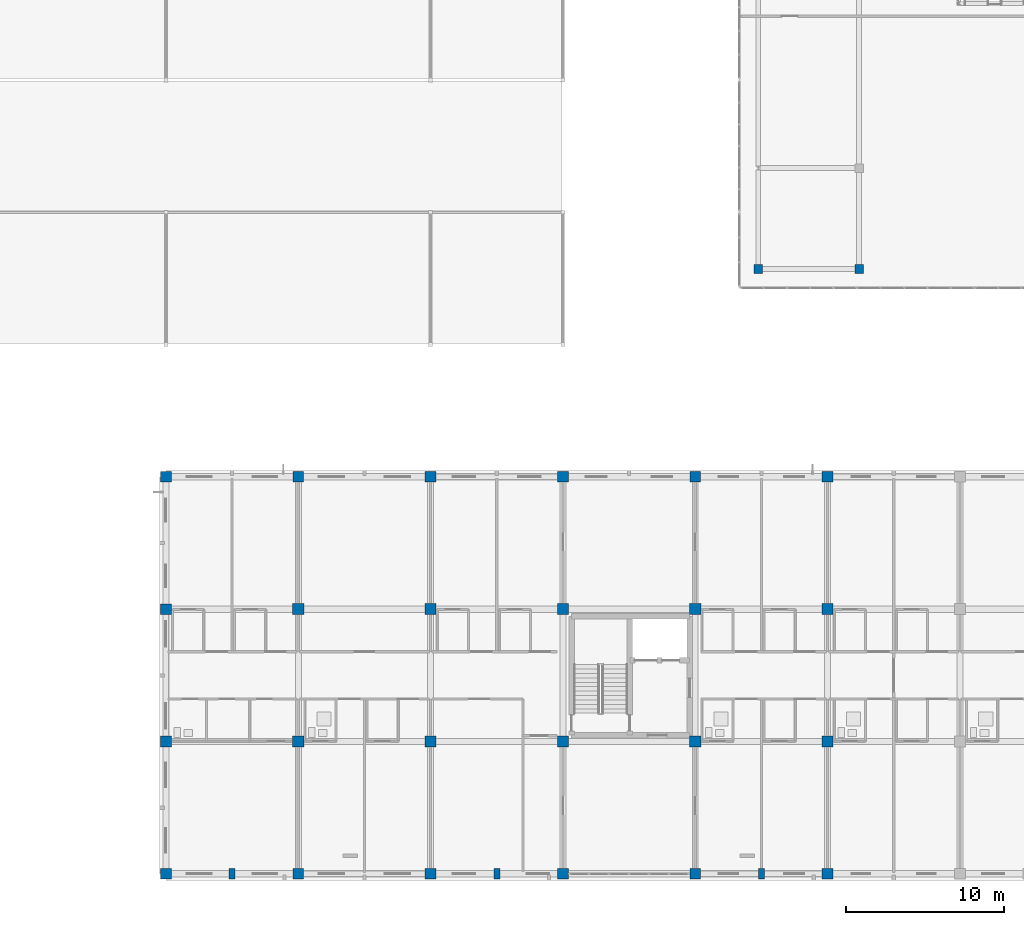
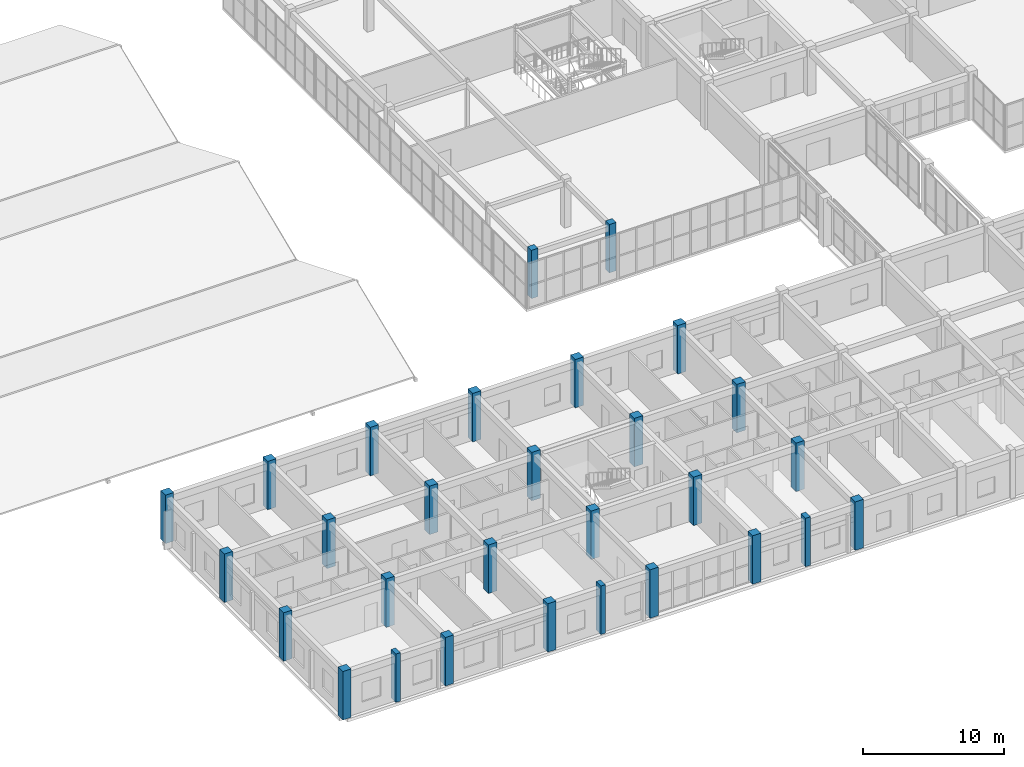
# One storey, part 1 of 140: 29 columns.
"""IFC4 building model written with IfcOpenShell, lengths in metres."""

from ifc_helpers import new_model, si_unit, direction, frame, origin, origin_2d, place, context, subcontext, project, spatial, rectangle, extrude, material, material_profile, profile_set, type_object, element, save


model = new_model("IFC4")

# Units and contexts
model_context = context("Model", 3, precision=1e-05, world=origin(), true_north=direction((0.0, 1.0)))
body_context = subcontext(model_context, "Body", "Model", "MODEL_VIEW")
ifc_project = project(units=[si_unit("LENGTHUNIT", "METRE"), si_unit("AREAUNIT", "SQUARE_METRE"), si_unit("VOLUMEUNIT", "CUBIC_METRE"), si_unit("PLANEANGLEUNIT", "RADIAN"), si_unit("MASSUNIT", "GRAM", prefix="KILO")], contexts=[model_context])

# Site, building, storey
site_placement = place(None, origin())
site = spatial("IfcSite", under=ifc_project, at=site_placement, CompositionType="ELEMENT")
building_placement = place(site_placement, origin())
building = spatial("IfcBuilding", under=site, at=building_placement, Name="Trelvath General Hospital", CompositionType="ELEMENT")
storey_placement = place(building_placement, frame((0.0, 0.0, 16.199951171875)))
storey = spatial("IfcBuildingStorey", under=building, at=storey_placement, Name="L04", CompositionType="ELEMENT", Elevation=16.199951171875)

# Columns
ifc_material_1 = material(Name="Concrete C40/50", Category="concrete")
ifc_material_profile_1 = material_profile(ifc_material_1, rectangle(XDim=0.550048828125, YDim=0.550048828125, at=origin_2d()), Name="RC550x550")
ifc_profile_set_1 = profile_set([ifc_material_profile_1], Name="Concrete C40/50")
column_type_1 = type_object("IfcColumnType", Name="Column RC550", PredefinedType="COLUMN", material=ifc_profile_set_1)
for number, where, z_axis, x_axis, name in (
    (1, (54.39990234375, 38.39990234375, 0.0), (0.0, 0.0, 1.0), (1.0, 0.0, 0.0), "Cube Interior Column CC-W11 L04"),
    (2, (60.800048828125, 38.39990234375, 0.0), (0.0, 0.0, 1.0), (1.0, 0.0, 0.0), "Cube Interior Column CC-W16 L04"),
):
    element("IfcColumn", number, at=place(storey_placement, frame(where, z_axis=z_axis, x_axis=x_axis)), inside=storey, type_object=column_type_1, Name=name, PredefinedType="COLUMN", context=body_context, shape_type="SweptSolid", body=[
        extrude(rectangle(XDim=0.550048828125, YDim=0.550048828125, at=origin_2d()), origin(), (0.0, 0.0, 1.0), 4.199951171875),
    ])
ifc_material_2 = material(Name="Concrete C40/50", Category="concrete")
ifc_material_profile_2 = material_profile(ifc_material_2, rectangle(XDim=0.679931640625, YDim=0.679931640625, at=origin_2d()), Name="RC680x680")
ifc_profile_set_2 = profile_set([ifc_material_profile_2], Name="Concrete C40/50")
column_type_2 = type_object("IfcColumnType", Name="Column RC680", PredefinedType="COLUMN", material=ifc_profile_set_2)
for number, where, z_axis, x_axis, name in (
    (3, (16.800048828125, 0.0, 0.0), (0.0, 0.0, 1.0), (1.0, 0.0, 0.0), "Column C-3A L04"),
    (4, (16.800048828125, 8.39990234375, 0.0), (0.0, 0.0, 1.0), (1.0, 0.0, 0.0), "Column C-3B L04"),
    (5, (16.800048828125, 16.800048828125, 0.0), (0.0, 0.0, 1.0), (1.0, 0.0, 0.0), "Column C-3C L04"),
    (6, (16.800048828125, 25.199951171875, 0.0), (0.0, 0.0, 1.0), (1.0, 0.0, 0.0), "Column C-3D L04"),
    (7, (25.199951171875, 0.0, 0.0), (0.0, 0.0, 1.0), (1.0, 0.0, 0.0), "Column C-4A L04"),
    (8, (25.199951171875, 25.199951171875, 0.0), (0.0, 0.0, 1.0), (1.0, 0.0, 0.0), "Column C-4D L04"),
    (9, (33.60009765625, 0.0, 0.0), (0.0, 0.0, 1.0), (1.0, 0.0, 0.0), "Column C-5A L04"),
    (10, (33.60009765625, 25.199951171875, 0.0), (0.0, 0.0, 1.0), (1.0, 0.0, 0.0), "Column C-5D L04"),
    (11, (42.0, 0.0, 0.0), (0.0, 0.0, 1.0), (1.0, 0.0, 0.0), "Column C-6A L04"),
    (12, (42.0, 25.199951171875, 0.0), (0.0, 0.0, 1.0), (1.0, 0.0, 0.0), "Column C-6D L04"),
    (13, (50.39990234375, 0.0, 0.0), (0.0, 0.0, 1.0), (1.0, 0.0, 0.0), "Column C-7A L04"),
    (14, (50.39990234375, 25.199951171875, 0.0), (0.0, 0.0, 1.0), (1.0, 0.0, 0.0), "Column C-7D L04"),
    (15, (58.800048828125, 0.0, 0.0), (0.0, 0.0, 1.0), (1.0, 0.0, 0.0), "Column C-8A L04"),
    (16, (58.800048828125, 25.199951171875, 0.0), (0.0, 0.0, 1.0), (1.0, 0.0, 0.0), "Column C-8D L04"),
):
    element("IfcColumn", number, at=place(storey_placement, frame(where, z_axis=z_axis, x_axis=x_axis)), inside=storey, type_object=column_type_2, Name=name, PredefinedType="COLUMN", context=body_context, shape_type="SweptSolid", body=[
        extrude(rectangle(XDim=0.679931640625, YDim=0.679931640625, at=origin_2d()), origin(), (0.0, 0.0, 1.0), 4.199951171875),
    ])
ifc_material_3 = material(Name="Concrete C40/50", Category="concrete")
ifc_material_profile_3 = material_profile(ifc_material_3, rectangle(XDim=0.699951171875, YDim=0.699951171875, at=origin_2d()), Name="RC700x700")
ifc_profile_set_3 = profile_set([ifc_material_profile_3], Name="Concrete C40/50")
column_type_3 = type_object("IfcColumnType", Name="Column RC700", PredefinedType="COLUMN", material=ifc_profile_set_3)
for number, where, z_axis, x_axis, name in (
    (17, (25.199951171875, 8.39990234375, 0.0), (0.0, 0.0, 1.0), (1.0, 0.0, 0.0), "Column C-4B L04"),
    (18, (25.199951171875, 16.800048828125, 0.0), (0.0, 0.0, 1.0), (1.0, 0.0, 0.0), "Column C-4C L04"),
    (19, (33.60009765625, 8.39990234375, 0.0), (0.0, 0.0, 1.0), (1.0, 0.0, 0.0), "Column C-5B L04"),
    (20, (33.60009765625, 16.800048828125, 0.0), (0.0, 0.0, 1.0), (1.0, 0.0, 0.0), "Column C-5C L04"),
    (21, (42.0, 8.39990234375, 0.0), (0.0, 0.0, 1.0), (1.0, 0.0, 0.0), "Column C-6B L04"),
    (22, (42.0, 16.800048828125, 0.0), (0.0, 0.0, 1.0), (1.0, 0.0, 0.0), "Column C-6C L04"),
    (23, (50.39990234375, 8.39990234375, 0.0), (0.0, 0.0, 1.0), (1.0, 0.0, 0.0), "Column C-7B L04"),
    (24, (50.39990234375, 16.800048828125, 0.0), (0.0, 0.0, 1.0), (1.0, 0.0, 0.0), "Column C-7C L04"),
    (25, (58.800048828125, 8.39990234375, 0.0), (0.0, 0.0, 1.0), (1.0, 0.0, 0.0), "Column C-8B L04"),
    (26, (58.800048828125, 16.800048828125, 0.0), (0.0, 0.0, 1.0), (1.0, 0.0, 0.0), "Column C-8C L04"),
):
    element("IfcColumn", number, at=place(storey_placement, frame(where, z_axis=z_axis, x_axis=x_axis)), inside=storey, type_object=column_type_3, Name=name, PredefinedType="COLUMN", context=body_context, shape_type="SweptSolid", body=[
        extrude(rectangle(XDim=0.699951171875, YDim=0.699951171875, at=origin_2d()), origin(), (0.0, 0.0, 1.0), 4.199951171875),
    ])
ifc_material_4 = material(Name="Concrete C40/50", Category="concrete")
ifc_material_profile_4 = material_profile(ifc_material_4, rectangle(XDim=0.3798828125, YDim=0.679931640625, at=origin_2d()), Name="RC380x680")
ifc_profile_set_4 = profile_set([ifc_material_profile_4], Name="Concrete C40/50")
column_type_4 = type_object("IfcColumnType", Name="Pilaster RC380x680", PredefinedType="PILASTER", material=ifc_profile_set_4)
for number, where, z_axis, x_axis, name in (
    (27, (21.0, 0.0, 0.0), (0.0, 0.0, 1.0), (1.0, 0.0, 0.0), "Facade Pilaster PL-S02 L04"),
    (28, (37.800048828125, 0.0, 0.0), (0.0, 0.0, 1.0), (1.0, 0.0, 0.0), "Facade Pilaster PL-S04 L04"),
    (29, (54.60009765625, 0.0, 0.0), (0.0, 0.0, 1.0), (1.0, 0.0, 0.0), "Facade Pilaster PL-S06 L04"),
):
    element("IfcColumn", number, at=place(storey_placement, frame(where, z_axis=z_axis, x_axis=x_axis)), inside=storey, type_object=column_type_4, Name=name, PredefinedType="PILASTER", context=body_context, shape_type="SweptSolid", body=[
        extrude(rectangle(XDim=0.3798828125, YDim=0.679931640625, at=origin_2d()), origin(), (0.0, 0.0, 1.0), 4.199951171875),
    ])

save(model, "model.ifc")
